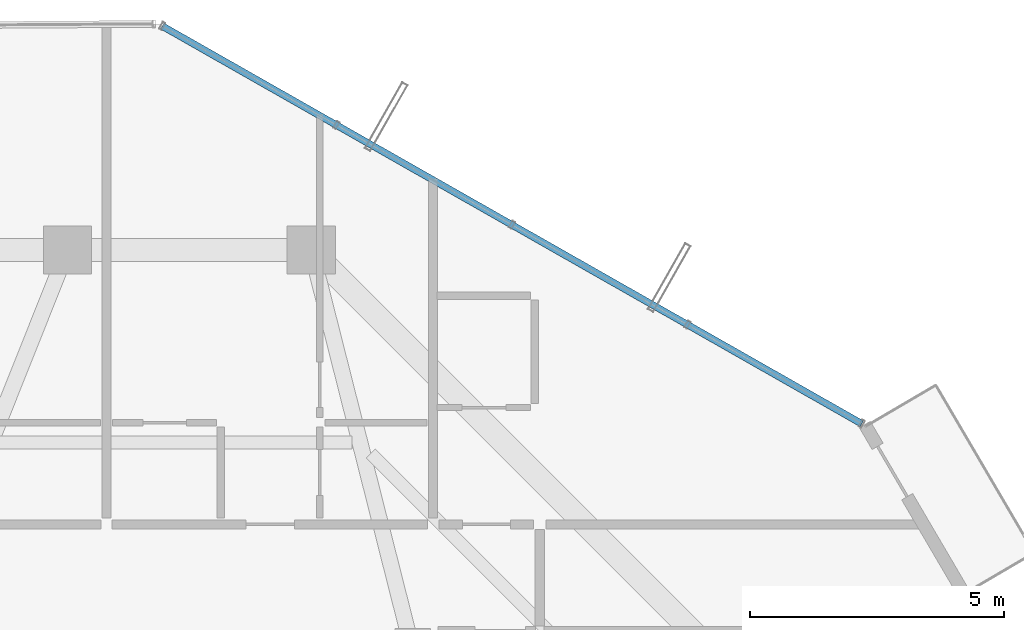
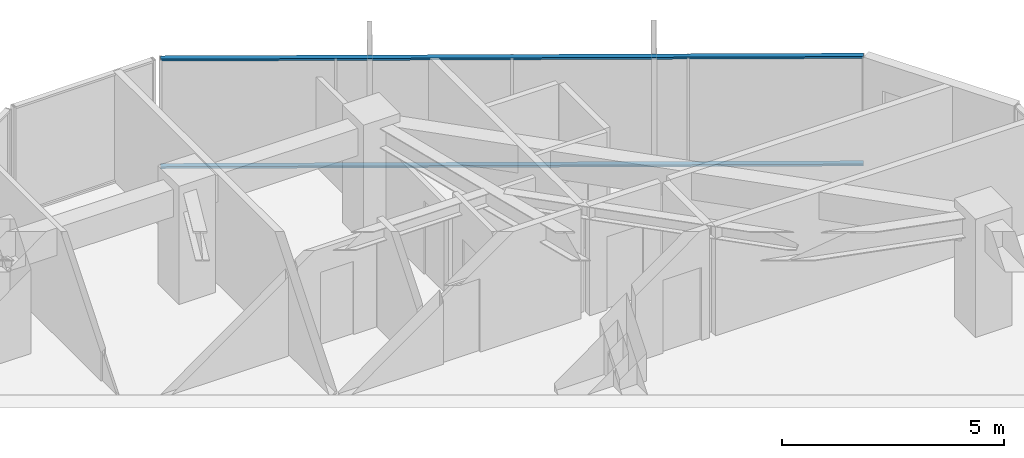
# One storey, part 24 of 31: 2 members, 1 element without a shape of its own.
"""IFC4 building model written with IfcOpenShell, lengths in metres."""

from ifc_helpers import new_model, si_unit, direction, frame, origin, origin_2d, place, context, subcontext, project, spatial, hollow_rectangle, extrude, source, transform, mapped, material, layer, layer_set, material_profile, profile_set, type_object, element, aggregate, save


model = new_model("IFC4")

# Units and contexts
model_context = context("Model", 3, precision=1e-05, world=origin(), true_north=direction((0.0, 1.0)))
body_context = subcontext(model_context, "Body", "Model", "MODEL_VIEW")
ifc_project = project(units=[si_unit("LENGTHUNIT", "METRE"), si_unit("AREAUNIT", "SQUARE_METRE"), si_unit("VOLUMEUNIT", "CUBIC_METRE"), si_unit("PLANEANGLEUNIT", "RADIAN"), si_unit("MASSUNIT", "GRAM", prefix="KILO")], contexts=[model_context])

# Site, building, storey
site_placement = place(None, origin())
site = spatial("IfcSite", under=ifc_project, at=site_placement, CompositionType="ELEMENT")
building_placement = place(site_placement, origin())
building = spatial("IfcBuilding", under=site, at=building_placement, Name="Veraguas Prism Commons", CompositionType="ELEMENT")
storey_placement = place(building_placement, frame((0.0, 0.0, 204.85009765625)))
storey = spatial("IfcBuildingStorey", under=building, at=storey_placement, Name="L58", CompositionType="ELEMENT", Elevation=204.85009765625)

# Curtain wall, members
ifc_material = material(Name="Anodised aluminium EN AW-6063 T6", Category="aluminium")
ifc_layer = layer(ifc_material, 0.14990234375, Name="Unitised Flush Curtain Wall Zone 3", Category="aluminium")
ifc_layer_set = layer_set([ifc_layer], Name="Anodised aluminium EN AW-6063 T6")
curtain_wall_type = type_object("IfcCurtainWallType", Name="Unitised Flush Curtain Wall Zone 3", PredefinedType="NOTDEFINED", material=ifc_layer_set)
curtain_wall_placement = place(storey_placement, origin())
curtain_wall = element("IfcCurtainWall", 1, at=curtain_wall_placement, inside=storey, type_object=curtain_wall_type, Name="Tower Facade Curtain Wall L58-F1", PredefinedType="NOTDEFINED")
ifc_material_profile = material_profile(ifc_material, hollow_rectangle(XDim=0.054931640625, YDim=0.135009765625, WallThickness=0.0029296875, at=origin_2d()), Name="AL55X135X3")
ifc_profile_set = profile_set([ifc_material_profile], Name="Anodised aluminium EN AW-6063 T6")
member_type = type_object("IfcMemberType", Name="Curtain Wall Transom Standard AL 55x135x3", PredefinedType="USERDEFINED", material=ifc_profile_set)
shared_shape = source(origin(), body_context, "Body", "SweptSolid", [
    extrude(hollow_rectangle(XDim=0.054931640625, YDim=0.135009765625, WallThickness=0.0029296875, at=origin_2d()), origin(), (0.0, 0.0, 1.0), 15.842041015625),
])
member_1_placement = place(storey_placement, frame((39.63916015625, 35.48095703125, 0.02734375), z_axis=(-0.869325044097, 0.494240799313, 0.0), x_axis=(0.0, 0.0, 1.0)))
member_1 = element("IfcMember", 2, at=member_1_placement, type_object=member_type, Name="CW-Z3 Transom 1", ObjectType="TRANSOM", PredefinedType="USERDEFINED", context=body_context, shape_type="MappedRepresentation", body=[
    mapped(shared_shape, transform((0.0, 0.0, 0.0), scale=1.0)),
])
member_2_placement = place(storey_placement, frame((39.63916015625, 35.48095703125, 2.9873046875), z_axis=(-0.869325044097, 0.494240799313, 0.0), x_axis=(0.0, 0.0, 1.0)))
member_2 = element("IfcMember", 3, at=member_2_placement, type_object=member_type, Name="CW-Z3 Transom 2", ObjectType="TRANSOM", PredefinedType="USERDEFINED", context=body_context, shape_type="MappedRepresentation", body=[
    mapped(shared_shape, transform((0.0, 0.0, 0.0), scale=1.0)),
])
aggregate(curtain_wall, [member_1, member_2])

save(model, "model.ifc")
